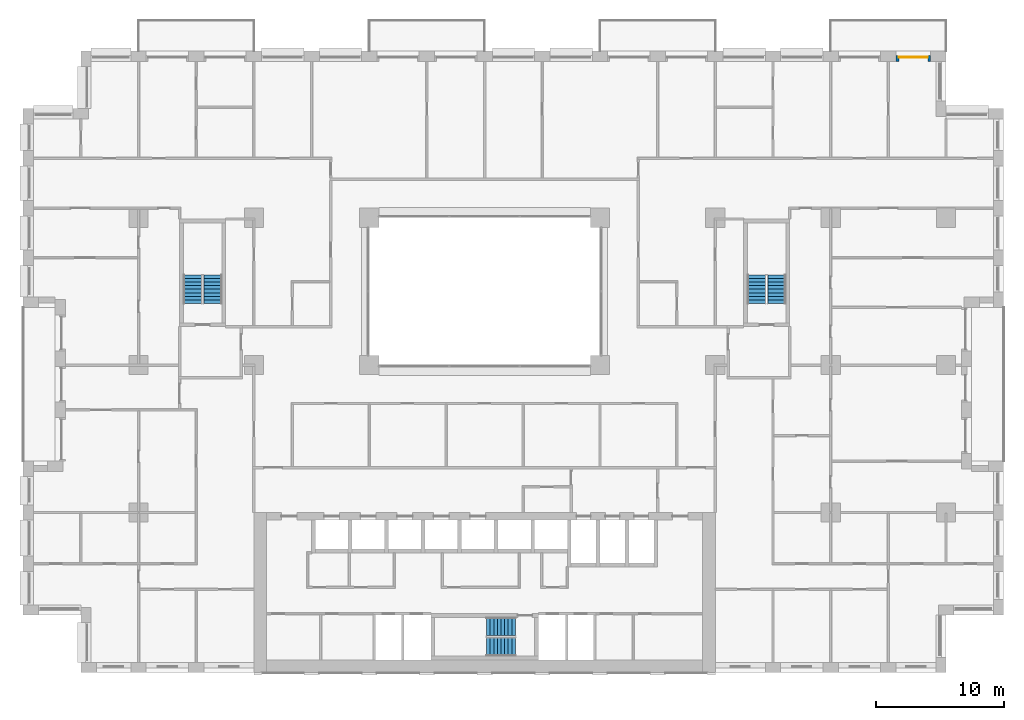
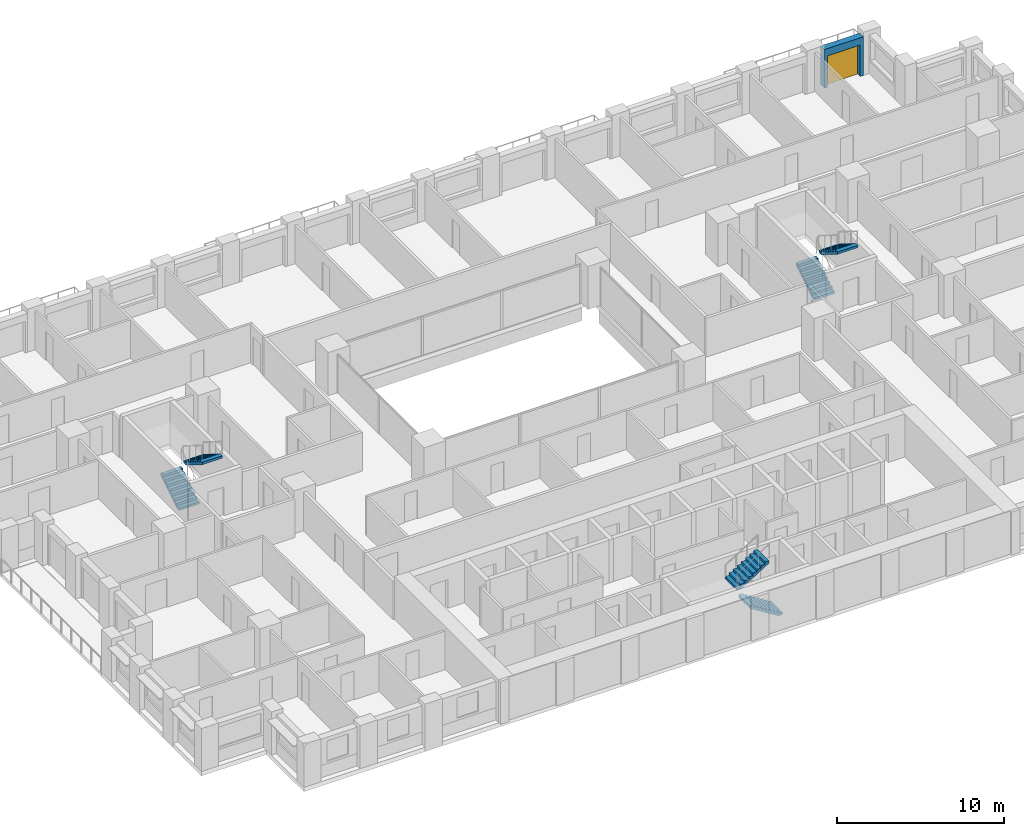
# One storey, part 17 of 19: 6 stair flights, 1 door, 1 wall, 1 opening, 3 elements without a shape of their own.
"""IFC4 building model written with IfcOpenShell, lengths in metres."""

from ifc_helpers import new_model, si_unit, direction, frame, frame_2d, origin, place, context, subcontext, project, spatial, polyline, rectangle, outline, extrude, material, layer, layer_set, type_object, element, fill, aggregate, save


model = new_model("IFC4")

# Units and contexts
model_context = context("Model", 3, precision=1e-05, world=origin(), true_north=direction((0.0, 1.0)))
body_context = subcontext(model_context, "Body", "Model", "MODEL_VIEW")
ifc_project = project(units=[si_unit("LENGTHUNIT", "METRE"), si_unit("AREAUNIT", "SQUARE_METRE"), si_unit("VOLUMEUNIT", "CUBIC_METRE"), si_unit("PLANEANGLEUNIT", "RADIAN"), si_unit("MASSUNIT", "GRAM", prefix="KILO")], contexts=[model_context])

# Site, building, storey
site_placement = place(None, origin())
site = spatial("IfcSite", under=ifc_project, at=site_placement, CompositionType="ELEMENT")
building_placement = place(site_placement, origin())
building = spatial("IfcBuilding", under=site, at=building_placement, Name="Brigalow Station Residences", CompositionType="ELEMENT")
storey_placement = place(building_placement, frame((0.0, 0.0, 19.5)))
storey = spatial("IfcBuildingStorey", under=building, at=storey_placement, Name="L04", CompositionType="ELEMENT", Elevation=19.5)

# Wall, opening, door
ifc_material_1 = material(Name="Clay brick masonry", Category="masonry")
ifc_layer = layer(ifc_material_1, 0.449951171875)
ifc_layer_set = layer_set([ifc_layer], Name="BRICK INFILL WALL 450")
wall_type = type_object("IfcWallType", Name="BRICK INFILL WALL 450", PredefinedType="SOLIDWALL", material=ifc_layer_set)
wall_placement = place(storey_placement, frame((70.800048828125, 47.925048828125, 0.0), z_axis=(0.0, 0.0, 1.0), x_axis=(-1.0, 0.0, 0.0)))
wall = element("IfcWall", 1, at=wall_placement, inside=storey, type_object=wall_type, Name="L04/ewall/W-L04-25", PredefinedType="SOLIDWALL", context=body_context, shape_type="SweptSolid", body=[
    extrude(rectangle(XDim=2.699951171875, YDim=0.449951171875, at=frame_2d((1.35009765625, 0.0))), origin(), (0.0, 0.0, 1.0), 2.830078125),
])
opening_placement = place(wall_placement, frame((0.22509765625, 0.0, 0.0)))
opening = element("IfcOpeningElement", 2, at=opening_placement, cuts=wall, Name="Opening D-B2250", PredefinedType="OPENING", context=body_context, shape_type="SweptSolid", body=[
    extrude(rectangle(XDim=2.25, YDim=2.300048828125, at=frame_2d((1.125, 1.14990234375))), frame((0.0, 0.23486328125, 0.0), z_axis=(0.0, -1.0, 0.0), x_axis=(1.0, 0.0, 0.0)), (0.0, 0.0, 1.0), 0.469970703125),
])
ifc_material_2 = material(Name="Anodised aluminium frame with double glazing", Category="aluminium")
door_type = type_object("IfcDoorType", Name="BALCONY SLIDING DOOR 2250x2300", OperationType="SLIDING_TO_LEFT", PredefinedType="DOOR", material=ifc_material_2)
door_placement = place(opening_placement, origin())
door = element("IfcDoor", 3, at=door_placement, inside=storey, type_object=door_type, Name="L04/balcony-door/W-L04-25", OperationType="SLIDING_TO_LEFT", OverallHeight=2.300048828125, OverallWidth=2.25, PredefinedType="DOOR", context=body_context, shape_type="SweptSolid", body=[
    extrude(rectangle(XDim=2.25, YDim=2.300048828125, at=frame_2d((1.125, 1.14990234375))), frame((0.0, -0.06982421875, 0.0), z_axis=(0.0, -1.0, 0.0), x_axis=(1.0, 0.0, 0.0)), (0.0, 0.0, 1.0), 0.050048828125),
])
fill(opening, door)

# Stair, stair flights
ifc_material_3 = material(Name="Concrete C50", Category="concrete")
stair_type = type_object("IfcStairType", Name="EXIT STAIR 1400 2 FLIGHT", PredefinedType="HALF_TURN_STAIR", material=ifc_material_3)
stair_1_placement = place(storey_placement, origin())
stair_1 = element("IfcStair", 4, at=stair_1_placement, inside=storey, type_object=stair_type, Name="EXIT STAIR S2 L04", PredefinedType="HALF_TURN_STAIR")
ifc_material_4 = material(Name="Concrete C50", Category="concrete")
stair_flight_type = type_object("IfcStairFlightType", Name="STAIR FLIGHT 1400", PredefinedType="STRAIGHT", material=ifc_material_4)
stair_flight_1_placement = place(storey_placement, frame((38.39990234375, 2.0, 0.0), z_axis=(0.0, 0.0, 1.0), x_axis=(-1.0, 0.0, 0.0)))
stair_flight_1 = element("IfcStairFlight", 5, at=stair_flight_1_placement, type_object=stair_flight_type, Name="ST-2 flight 1", NumberOfRisers=9, NumberOfTreads=8, PredefinedType="STRAIGHT", RiserHeight=0.175, TreadLength=0.28, context=body_context, shape_type="SweptSolid", body=[
    extrude(outline(polyline([(0.0, 0.0), (0.0, 0.175048828125), (0.280029296875, 0.175048828125), (0.280029296875, 0.35009765625), (0.56005859375, 0.35009765625), (0.56005859375, 0.52490234375), (0.840087890625, 0.52490234375), (0.840087890625, 0.699951171875), (1.1201171875, 0.699951171875), (1.1201171875, 0.875), (1.39990234375, 0.875), (1.39990234375, 1.050048828125), (1.679931640625, 1.050048828125), (1.679931640625, 1.22509765625), (1.9599609375, 1.22509765625), (1.9599609375, 1.39990234375), (2.239990234375, 1.39990234375), (2.239990234375, 1.574951171875), (2.239990234375, 1.22314453125), (0.28271484375, 0.0), (0.0, 0.0)])), frame((0.0, 0.699951171875, 0.0), z_axis=(0.0, -1.0, 0.0), x_axis=(1.0, 0.0, 0.0)), (0.0, 0.0, 1.0), 1.39990234375),
])
stair_flight_2_placement = place(storey_placement, frame((36.159912109375, 3.60009765625, 1.574951171875), z_axis=(0.0, 0.0, 1.0), x_axis=(1.0, 0.0, 0.0)))
stair_flight_2 = element("IfcStairFlight", 6, at=stair_flight_2_placement, type_object=stair_flight_type, Name="ST-2 flight 2", NumberOfRisers=9, NumberOfTreads=8, PredefinedType="STRAIGHT", RiserHeight=0.175, TreadLength=0.28, context=body_context, shape_type="SweptSolid", body=[
    extrude(outline(polyline([(0.0, 0.0), (0.0, 0.175048828125), (0.280029296875, 0.175048828125), (0.280029296875, 0.35009765625), (0.56005859375, 0.35009765625), (0.56005859375, 0.52490234375), (0.840087890625, 0.52490234375), (0.840087890625, 0.699951171875), (1.1201171875, 0.699951171875), (1.1201171875, 0.875), (1.39990234375, 0.875), (1.39990234375, 1.050048828125), (1.679931640625, 1.050048828125), (1.679931640625, 1.22509765625), (1.9599609375, 1.22509765625), (1.9599609375, 1.39990234375), (2.239990234375, 1.39990234375), (2.239990234375, 1.574951171875), (2.239990234375, 1.22314453125), (0.28271484375, 0.0), (0.0, 0.0)])), frame((0.0, 0.699951171875, 0.0), z_axis=(0.0, -1.0, 0.0), x_axis=(1.0, 0.0, 0.0)), (0.0, 0.0, 1.0), 1.39990234375),
])
aggregate(stair_1, [stair_flight_1, stair_flight_2])

stair_2_placement = place(storey_placement, origin())
stair_2 = element("IfcStair", 7, at=stair_2_placement, inside=storey, type_object=stair_type, Name="EXIT STAIR S1 L04", PredefinedType="HALF_TURN_STAIR")
stair_flight_3_placement = place(storey_placement, frame((13.199951171875, 28.800048828125, 0.0), z_axis=(0.0, 0.0, 1.0), x_axis=(0.0, 1.0, 0.0)))
stair_flight_3 = element("IfcStairFlight", 8, at=stair_flight_3_placement, type_object=stair_flight_type, Name="ST-1 flight 1", NumberOfRisers=9, NumberOfTreads=8, PredefinedType="STRAIGHT", RiserHeight=0.175, TreadLength=0.28, context=body_context, shape_type="SweptSolid", body=[
    extrude(outline(polyline([(0.0, 0.0), (0.0, 0.175048828125), (0.280029296875, 0.175048828125), (0.280029296875, 0.35009765625), (0.56005859375, 0.35009765625), (0.56005859375, 0.52490234375), (0.840087890625, 0.52490234375), (0.840087890625, 0.699951171875), (1.1201171875, 0.699951171875), (1.1201171875, 0.875), (1.39990234375, 0.875), (1.39990234375, 1.050048828125), (1.679931640625, 1.050048828125), (1.679931640625, 1.22509765625), (1.9599609375, 1.22509765625), (1.9599609375, 1.39990234375), (2.239990234375, 1.39990234375), (2.239990234375, 1.574951171875), (2.239990234375, 1.22314453125), (0.28271484375, 0.0), (0.0, 0.0)])), frame((0.0, 0.699951171875, 0.0), z_axis=(0.0, -1.0, 0.0), x_axis=(1.0, 0.0, 0.0)), (0.0, 0.0, 1.0), 1.39990234375),
])
stair_flight_4_placement = place(storey_placement, frame((14.800048828125, 31.0400390625, 1.574951171875), z_axis=(0.0, 0.0, 1.0), x_axis=(0.0, -1.0, 0.0)))
stair_flight_4 = element("IfcStairFlight", 9, at=stair_flight_4_placement, type_object=stair_flight_type, Name="ST-1 flight 2", NumberOfRisers=9, NumberOfTreads=8, PredefinedType="STRAIGHT", RiserHeight=0.175, TreadLength=0.28, context=body_context, shape_type="SweptSolid", body=[
    extrude(outline(polyline([(0.0, 0.0), (0.0, 0.175048828125), (0.280029296875, 0.175048828125), (0.280029296875, 0.35009765625), (0.56005859375, 0.35009765625), (0.56005859375, 0.52490234375), (0.840087890625, 0.52490234375), (0.840087890625, 0.699951171875), (1.1201171875, 0.699951171875), (1.1201171875, 0.875), (1.39990234375, 0.875), (1.39990234375, 1.050048828125), (1.679931640625, 1.050048828125), (1.679931640625, 1.22509765625), (1.9599609375, 1.22509765625), (1.9599609375, 1.39990234375), (2.239990234375, 1.39990234375), (2.239990234375, 1.574951171875), (2.239990234375, 1.22314453125), (0.28271484375, 0.0), (0.0, 0.0)])), frame((0.0, 0.699951171875, 0.0), z_axis=(0.0, -1.0, 0.0), x_axis=(1.0, 0.0, 0.0)), (0.0, 0.0, 1.0), 1.39990234375),
])
aggregate(stair_2, [stair_flight_3, stair_flight_4])

stair_3_placement = place(storey_placement, origin())
stair_3 = element("IfcStair", 10, at=stair_3_placement, inside=storey, type_object=stair_type, Name="EXIT STAIR S3 L04", PredefinedType="HALF_TURN_STAIR")
stair_flight_5_placement = place(storey_placement, frame((57.199951171875, 28.800048828125, 0.0), z_axis=(0.0, 0.0, 1.0), x_axis=(0.0, 1.0, 0.0)))
stair_flight_5 = element("IfcStairFlight", 11, at=stair_flight_5_placement, type_object=stair_flight_type, Name="ST-3 flight 1", NumberOfRisers=9, NumberOfTreads=8, PredefinedType="STRAIGHT", RiserHeight=0.175, TreadLength=0.28, context=body_context, shape_type="SweptSolid", body=[
    extrude(outline(polyline([(0.0, 0.0), (0.0, 0.175048828125), (0.280029296875, 0.175048828125), (0.280029296875, 0.35009765625), (0.56005859375, 0.35009765625), (0.56005859375, 0.52490234375), (0.840087890625, 0.52490234375), (0.840087890625, 0.699951171875), (1.1201171875, 0.699951171875), (1.1201171875, 0.875), (1.39990234375, 0.875), (1.39990234375, 1.050048828125), (1.679931640625, 1.050048828125), (1.679931640625, 1.22509765625), (1.9599609375, 1.22509765625), (1.9599609375, 1.39990234375), (2.239990234375, 1.39990234375), (2.239990234375, 1.574951171875), (2.239990234375, 1.22314453125), (0.28271484375, 0.0), (0.0, 0.0)])), frame((0.0, 0.699951171875, 0.0), z_axis=(0.0, -1.0, 0.0), x_axis=(1.0, 0.0, 0.0)), (0.0, 0.0, 1.0), 1.39990234375),
])
stair_flight_6_placement = place(storey_placement, frame((58.800048828125, 31.0400390625, 1.574951171875), z_axis=(0.0, 0.0, 1.0), x_axis=(0.0, -1.0, 0.0)))
stair_flight_6 = element("IfcStairFlight", 12, at=stair_flight_6_placement, type_object=stair_flight_type, Name="ST-3 flight 2", NumberOfRisers=9, NumberOfTreads=8, PredefinedType="STRAIGHT", RiserHeight=0.175, TreadLength=0.28, context=body_context, shape_type="SweptSolid", body=[
    extrude(outline(polyline([(0.0, 0.0), (0.0, 0.175048828125), (0.280029296875, 0.175048828125), (0.280029296875, 0.35009765625), (0.56005859375, 0.35009765625), (0.56005859375, 0.52490234375), (0.840087890625, 0.52490234375), (0.840087890625, 0.699951171875), (1.1201171875, 0.699951171875), (1.1201171875, 0.875), (1.39990234375, 0.875), (1.39990234375, 1.050048828125), (1.679931640625, 1.050048828125), (1.679931640625, 1.22509765625), (1.9599609375, 1.22509765625), (1.9599609375, 1.39990234375), (2.239990234375, 1.39990234375), (2.239990234375, 1.574951171875), (2.239990234375, 1.22314453125), (0.28271484375, 0.0), (0.0, 0.0)])), frame((0.0, 0.699951171875, 0.0), z_axis=(0.0, -1.0, 0.0), x_axis=(1.0, 0.0, 0.0)), (0.0, 0.0, 1.0), 1.39990234375),
])
aggregate(stair_3, [stair_flight_5, stair_flight_6])

save(model, "model.ifc")
